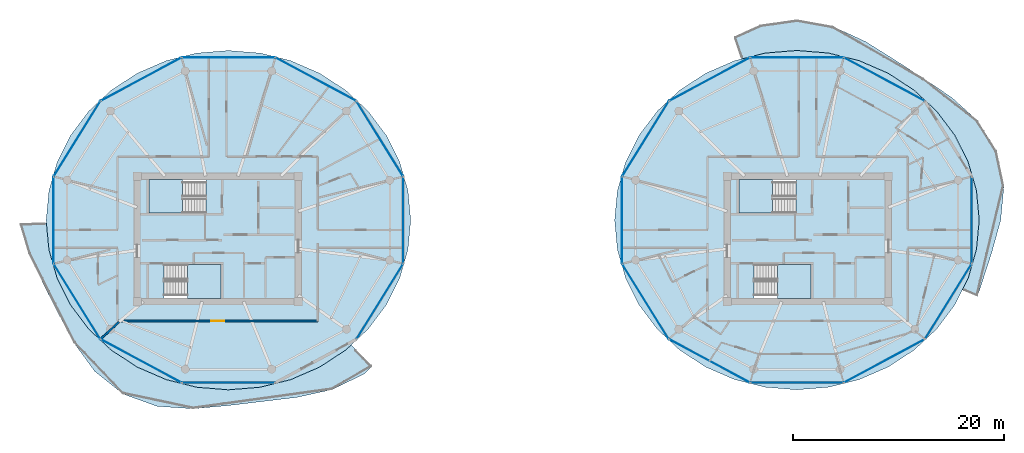
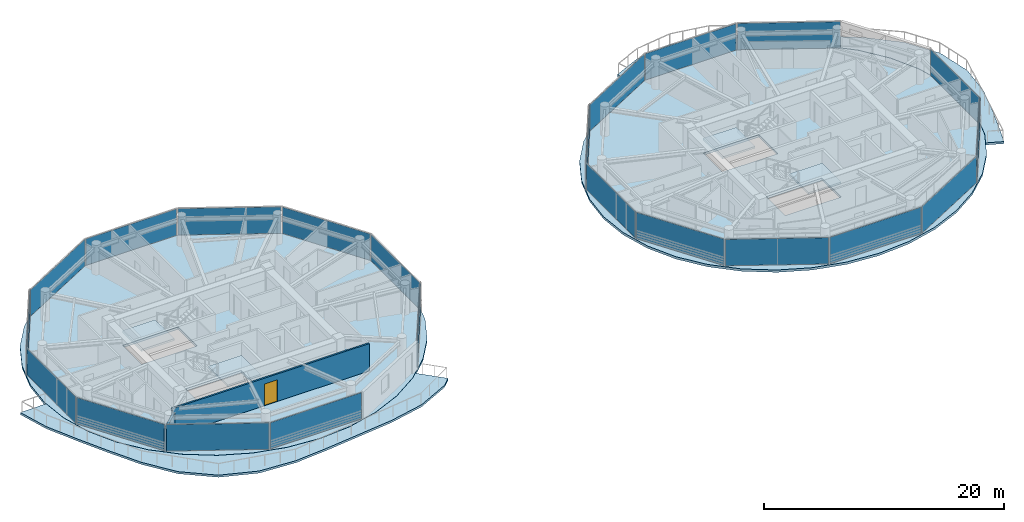
# One storey, part 11 of 23: 22 plates, 8 slabs, 2 walls, 1 door, 1 opening, 26 elements without a shape of their own.
"""IFC4 building model written with IfcOpenShell, lengths in metres."""

from ifc_helpers import new_model, si_unit, direction, frame, frame_2d, origin, origin_2d, place, context, subcontext, project, spatial, polyline, rectangle, outline, extrude, source, transform, mapped, material, layer, layer_set, type_object, type_shapes, element, fill, aggregate, save


model = new_model("IFC4")

# Units and contexts
model_context = context("Model", 3, precision=1e-05, world=origin(), true_north=direction((0.0, 1.0)))
body_context = subcontext(model_context, "Body", "Model", "MODEL_VIEW")
ifc_project = project(units=[si_unit("LENGTHUNIT", "METRE"), si_unit("AREAUNIT", "SQUARE_METRE"), si_unit("VOLUMEUNIT", "CUBIC_METRE"), si_unit("PLANEANGLEUNIT", "RADIAN"), si_unit("MASSUNIT", "GRAM", prefix="KILO")], contexts=[model_context])

# Site, building, storey
site_placement = place(None, origin())
site = spatial("IfcSite", under=ifc_project, at=site_placement, CompositionType="ELEMENT")
building_placement = place(site_placement, origin())
building = spatial("IfcBuilding", under=site, at=building_placement, Name="Norrkilde Senior Care Towers", CompositionType="ELEMENT")
storey_placement = place(building_placement, frame((0.0, 0.0, 173.949951171875)))
storey = spatial("IfcBuildingStorey", under=building, at=storey_placement, Name="L54", CompositionType="ELEMENT", Elevation=173.949951171875)

# Slabs
ifc_material_1 = material(Name="Concrete C50/60", Category="concrete")
ifc_layer_1 = layer(ifc_material_1, 0.215087890625)
ifc_layer_set_1 = layer_set([ifc_layer_1], Name="Concrete C50/60")
slab_type_1 = type_object("IfcSlabType", Name="Sinusoidal Balcony Ribbon Slab 215", PredefinedType="FLOOR", material=ifc_layer_set_1)
slab_1_placement = place(storey_placement, frame((0.0, 0.0, -0.21484375)))
element("IfcSlab", 1, at=slab_1_placement, inside=storey, type_object=slab_type_1, Name="L54 Drum W Swirling Senior Balcony 1", PredefinedType="FLOOR", context=body_context, shape_type="SweptSolid", body=[
    extrude(outline(polyline([(-17.169921875, -14.317138671875), (-20.4853515625, -15.044677734375), (-23.74853515625, -15.43505859375), (-26.97509765625, -15.82275390625), (-30.314453125, -16.123779296875), (-33.75244140625, -15.894287109375), (-36.99560546875, -14.718505859375), (-39.669921875, -12.574462890625), (-41.647216796875, -9.853515625), (-43.161376953125, -7.021728515625), (-44.56201171875, -4.25146484375), (-45.915771484375, -1.381103515625), (-46.758056640625, 1.44775390625), (-44.253173828125, 1.4892578125), (-44.01708984375, -1.021240234375), (-43.236328125, -3.73291015625), (-41.961669921875, -6.277099609375), (-40.2314453125, -8.57666015625), (-38.098388671875, -10.561767578125), (-35.62744140625, -12.171875), (-32.8935546875, -13.3583984375), (-29.97998046875, -14.0849609375), (-26.97509765625, -14.32958984375), (-23.969970703125, -14.0849609375), (-21.056396484375, -13.3583984375), (-18.322509765625, -12.171875), (-15.8515625, -10.561767578125), (-15.326416015625, -10.072998046875), (-13.346435546875, -12.086669921875), (-14.08837890625, -12.820068359375), (-17.169921875, -14.317138671875)])), origin(), (0.0, 0.0, 1.0), 0.21484375),
])
slab_2_placement = place(storey_placement, frame((0.0, 0.0, -0.21484375)))
element("IfcSlab", 2, at=slab_2_placement, inside=storey, type_object=slab_type_1, Name="L54 Drum E Swirling Senior Balcony 1", PredefinedType="FLOOR", context=body_context, shape_type="SweptSolid", body=[
    extrude(outline(polyline([(44.099853515625, -5.456298828125), (42.67431640625, -4.8544921875), (43.236328125, -3.73291015625), (44.01708984375, -1.021240234375), (44.280029296875, 1.775390625), (44.01708984375, 4.572021484375), (43.236328125, 7.28369140625), (41.961669921875, 9.827880859375), (40.2314453125, 12.12744140625), (38.098388671875, 14.112548828125), (35.62744140625, 15.72265625), (32.8935546875, 16.9091796875), (29.97998046875, 17.6357421875), (26.97509765625, 17.88037109375), (23.969970703125, 17.6357421875), (21.73291015625, 17.077880859375), (21.0234375, 19.14892578125), (23.53662109375, 20.27783203125), (26.97509765625, 20.77099609375), (30.393310546875, 20.1552734375), (33.505126953125, 18.71484375), (36.295654296875, 16.966552734375), (38.974365234375, 15.234619140625), (41.66650390625, 13.421630859375), (44.150146484375, 11.185791015625), (45.9306640625, 8.33740234375), (46.62890625, 5.06689453125), (46.319091796875, 1.775390625), (45.46875, -1.29638671875), (44.516845703125, -4.23388671875), (44.099853515625, -5.456298828125)])), origin(), (0.0, 0.0, 1.0), 0.21484375),
])

# Stair, slab
ifc_material_2 = material(Name="Concrete C45/55", Category="concrete")
stair_type = type_object("IfcStairType", Name="Core Protected Dogleg Stair Typical 3050", PredefinedType="HALF_TURN_STAIR", material=ifc_material_2)
stair_1_placement = place(storey_placement, origin())
stair_1 = element("IfcStair", 3, at=stair_1_placement, inside=storey, type_object=stair_type, Name="L54 Protected Core Stair W1", PredefinedType="HALF_TURN_STAIR")
ifc_layer_2 = layer(ifc_material_2, 0.199951171875)
ifc_layer_set_2 = layer_set([ifc_layer_2], Name="Concrete C45/55")
slab_type_2 = type_object("IfcSlabType", Name="Stair Landing Slab 200", PredefinedType="LANDING", material=ifc_layer_set_2)
slab_3_placement = place(storey_placement, frame((0.0, 0.0, 1.324951171875)))
slab_3 = element("IfcSlab", 4, at=slab_3_placement, type_object=slab_type_2, Name="ST-W1 landing 1", PredefinedType="LANDING", context=body_context, shape_type="SweptSolid", body=[
    extrude(outline(polyline([(-31.340087890625, 5.639892578125), (-34.5, 5.639892578125), (-34.5, 2.449951171875), (-31.340087890625, 2.449951171875), (-31.340087890625, 5.639892578125)])), origin(), (0.0, 0.0, 1.0), 0.2001953125),
])
aggregate(stair_1, [slab_3])

stair_2_placement = place(storey_placement, origin())
stair_2 = element("IfcStair", 5, at=stair_2_placement, inside=storey, type_object=stair_type, Name="L54 Protected Core Stair W2", PredefinedType="HALF_TURN_STAIR")
slab_4_placement = place(storey_placement, frame((0.0, 0.0, 1.324951171875)))
slab_4 = element("IfcSlab", 6, at=slab_4_placement, type_object=slab_type_2, Name="ST-W2 landing 1", PredefinedType="LANDING", context=body_context, shape_type="SweptSolid", body=[
    extrude(outline(polyline([(-30.860107421875, -5.639892578125), (-27.699951171875, -5.639892578125), (-27.699951171875, -2.449951171875), (-30.860107421875, -2.449951171875), (-30.860107421875, -5.639892578125)])), origin(), (0.0, 0.0, 1.0), 0.2001953125),
])
aggregate(stair_2, [slab_4])

stair_3_placement = place(storey_placement, origin())
stair_3 = element("IfcStair", 7, at=stair_3_placement, inside=storey, type_object=stair_type, Name="L54 Protected Core Stair E1", PredefinedType="HALF_TURN_STAIR")
slab_5_placement = place(storey_placement, frame((0.0, 0.0, 1.324951171875)))
slab_5 = element("IfcSlab", 8, at=slab_5_placement, type_object=slab_type_2, Name="ST-E1 landing 1", PredefinedType="LANDING", context=body_context, shape_type="SweptSolid", body=[
    extrude(outline(polyline([(24.659912109375, 5.639892578125), (21.5, 5.639892578125), (21.5, 2.449951171875), (24.659912109375, 2.449951171875), (24.659912109375, 5.639892578125)])), origin(), (0.0, 0.0, 1.0), 0.2001953125),
])
aggregate(stair_3, [slab_5])

stair_4_placement = place(storey_placement, origin())
stair_4 = element("IfcStair", 9, at=stair_4_placement, inside=storey, type_object=stair_type, Name="L54 Protected Core Stair E2", PredefinedType="HALF_TURN_STAIR")
slab_6_placement = place(storey_placement, frame((0.0, 0.0, 1.324951171875)))
slab_6 = element("IfcSlab", 10, at=slab_6_placement, type_object=slab_type_2, Name="ST-E2 landing 1", PredefinedType="LANDING", context=body_context, shape_type="SweptSolid", body=[
    extrude(outline(polyline([(25.139892578125, -5.639892578125), (28.300048828125, -5.639892578125), (28.300048828125, -2.449951171875), (25.139892578125, -2.449951171875), (25.139892578125, -5.639892578125)])), origin(), (0.0, 0.0, 1.0), 0.2001953125),
])
aggregate(stair_4, [slab_6])

# Slabs
ifc_layer_3 = layer(ifc_material_1, 0.239990234375)
ifc_layer_set_3 = layer_set([ifc_layer_3], Name="Concrete C50/60")
slab_type_3 = type_object("IfcSlabType", Name="Tower Residence Floor Slab 240", PredefinedType="FLOOR", material=ifc_layer_set_3)
slab_7_placement = place(storey_placement, frame((0.0, 0.0, -0.239990234375)))
element("IfcSlab", 11, at=slab_7_placement, inside=storey, type_object=slab_type_3, Name="L54 Drum W Structural Floor Slab", PredefinedType="FLOOR", context=body_context, shape_type="SweptSolid", body=[
    extrude(outline(polyline([(-10.71826171875, -3.731201171875), (-11.99267578125, -6.274658203125), (-13.722412109375, -8.573486328125), (-15.854736328125, -10.557861328125), (-18.324951171875, -12.167724609375), (-21.05810546875, -13.353759765625), (-23.970947265625, -14.080078125), (-26.97509765625, -14.32470703125), (-29.97900390625, -14.080078125), (-32.891845703125, -13.353759765625), (-35.625, -12.167724609375), (-38.09521484375, -10.557861328125), (-40.2275390625, -8.573486328125), (-41.957275390625, -6.274658203125), (-43.231689453125, -3.731201171875), (-44.01220703125, -1.020263671875), (-44.27490234375, 1.775390625), (-44.01220703125, 4.571044921875), (-43.231689453125, 7.281982421875), (-41.957275390625, 9.825439453125), (-40.2275390625, 12.124267578125), (-38.09521484375, 14.108642578125), (-35.625, 15.71826171875), (-32.891845703125, 16.904296875), (-29.97900390625, 17.630859375), (-26.97509765625, 17.875244140625), (-23.970947265625, 17.630859375), (-21.05810546875, 16.904296875), (-18.324951171875, 15.71826171875), (-15.854736328125, 14.108642578125), (-13.722412109375, 12.124267578125), (-11.99267578125, 9.825439453125), (-10.71826171875, 7.281982421875), (-9.937744140625, 4.571044921875), (-9.675048828125, 1.775390625), (-9.937744140625, -1.020263671875), (-10.71826171875, -3.731201171875)]), holes=[polyline([(-34.48193359375, 2.468017578125), (-29.117919921875, 2.468017578125), (-29.117919921875, 5.639892578125), (-34.48193359375, 5.639892578125), (-34.48193359375, 2.468017578125)]), polyline([(-27.718017578125, -5.639892578125), (-27.718017578125, -2.468017578125), (-33.08203125, -2.468017578125), (-33.08203125, -5.639892578125), (-27.718017578125, -5.639892578125)])]), origin(), (0.0, 0.0, 1.0), 0.239990234375),
])
slab_8_placement = place(storey_placement, frame((0.0, 0.0, -0.239990234375)))
element("IfcSlab", 12, at=slab_8_placement, inside=storey, type_object=slab_type_3, Name="L54 Drum E Structural Floor Slab", PredefinedType="FLOOR", context=body_context, shape_type="SweptSolid", body=[
    extrude(outline(polyline([(43.231689453125, -3.731201171875), (41.957275390625, -6.274658203125), (40.2275390625, -8.573486328125), (38.09521484375, -10.557861328125), (35.625, -12.167724609375), (32.891845703125, -13.353759765625), (29.97900390625, -14.080078125), (26.97509765625, -14.32470703125), (23.970947265625, -14.080078125), (21.05810546875, -13.353759765625), (18.324951171875, -12.167724609375), (15.854736328125, -10.557861328125), (13.722412109375, -8.573486328125), (11.99267578125, -6.274658203125), (10.71826171875, -3.731201171875), (9.937744140625, -1.020263671875), (9.675048828125, 1.775390625), (9.937744140625, 4.571044921875), (10.71826171875, 7.281982421875), (11.99267578125, 9.825439453125), (13.722412109375, 12.124267578125), (15.854736328125, 14.108642578125), (18.324951171875, 15.71826171875), (21.05810546875, 16.904296875), (23.970947265625, 17.630859375), (26.97509765625, 17.875244140625), (29.97900390625, 17.630859375), (32.891845703125, 16.904296875), (35.625, 15.71826171875), (38.09521484375, 14.108642578125), (40.2275390625, 12.124267578125), (41.957275390625, 9.825439453125), (43.231689453125, 7.281982421875), (44.01220703125, 4.571044921875), (44.27490234375, 1.775390625), (44.01220703125, -1.020263671875), (43.231689453125, -3.731201171875)]), holes=[polyline([(21.51806640625, 2.468017578125), (26.882080078125, 2.468017578125), (26.882080078125, 5.639892578125), (21.51806640625, 5.639892578125), (21.51806640625, 2.468017578125)]), polyline([(28.281982421875, -5.639892578125), (28.281982421875, -2.468017578125), (22.91796875, -2.468017578125), (22.91796875, -5.639892578125), (28.281982421875, -5.639892578125)])]), origin(), (0.0, 0.0, 1.0), 0.239990234375),
])

# Curtain wall, plate
ifc_material_3 = material(Name="Triple Low-E Insulated Glazing", Category="glass")
ifc_layer_4 = layer(ifc_material_3, 0.18994140625)
ifc_layer_set_4 = layer_set([ifc_layer_4], Name="Triple Low-E Insulated Glazing")
curtain_wall_type = type_object("IfcCurtainWallType", Name="CW4 Zone 3 Senior Residence Curtain Wall", PredefinedType="NOTDEFINED", material=ifc_layer_set_4)
curtain_wall_1_placement = place(storey_placement, origin())
curtain_wall_1 = element("IfcCurtainWall", 13, at=curtain_wall_1_placement, inside=storey, type_object=curtain_wall_type, Name="L54 Drum W Curtain Wall 00", PredefinedType="NOTDEFINED")
ifc_layer_5 = layer(ifc_material_3, 0.035888671875)
ifc_layer_set_5 = layer_set([ifc_layer_5], Name="Triple Low-E Insulated Glazing")
plate_type = type_object("IfcPlateType", Name="Triple Low-E Vision Curtain Panel 36", PredefinedType="CURTAIN_PANEL", material=ifc_layer_set_5)
shared_shape_1 = source(origin(), body_context, "Body", "SweptSolid", [
    extrude(rectangle(XDim=8.301513671875, YDim=0.035888671875, at=origin_2d()), origin(), (0.0, 0.0, 1.0), 2.68994140625),
])
plate_1_placement = place(storey_placement, frame((-12.603759765625, 9.4931640625, 0.06005859375), z_axis=(0.0, 0.0, 1.0), x_axis=(0.52737270789, -0.84963405474, 0.0)))
plate_1 = element("IfcPlate", 14, at=plate_1_placement, type_object=plate_type, Name="CW-4 panel 1.1", PredefinedType="CURTAIN_PANEL", context=body_context, shape_type="MappedRepresentation", body=[
    mapped(shared_shape_1, transform((0.0, 0.0, 0.0), x_axis=(1.0, 0.0, 0.0), y_axis=(0.0, 1.0, 0.0), z_axis=(0.0, 0.0, 1.0), scale=1.0)),
])
aggregate(curtain_wall_1, [plate_1])

curtain_wall_2_placement = place(storey_placement, origin())
curtain_wall_2 = element("IfcCurtainWall", 15, at=curtain_wall_2_placement, inside=storey, type_object=curtain_wall_type, Name="L54 Drum W Curtain Wall 04", PredefinedType="NOTDEFINED")
plate_2_placement = place(storey_placement, frame((-41.346435546875, 9.4931640625, 0.06005859375), z_axis=(0.0, 0.0, 1.0), x_axis=(0.52737270789, 0.84963405474, 0.0)))
plate_2 = element("IfcPlate", 16, at=plate_2_placement, type_object=plate_type, Name="CW-4 panel 1.1", PredefinedType="CURTAIN_PANEL", context=body_context, shape_type="MappedRepresentation", body=[
    mapped(shared_shape_1, transform((0.0, 0.0, 0.0), x_axis=(1.0, 0.0, 0.0), y_axis=(0.0, 1.0, 0.0), z_axis=(0.0, 0.0, 1.0), scale=1.0)),
])
aggregate(curtain_wall_2, [plate_2])

curtain_wall_3_placement = place(storey_placement, origin())
curtain_wall_3 = element("IfcCurtainWall", 17, at=curtain_wall_3_placement, inside=storey, type_object=curtain_wall_type, Name="L54 Drum W Curtain Wall 06", PredefinedType="NOTDEFINED")
plate_3_placement = place(storey_placement, frame((-41.346435546875, -5.9423828125, 0.06005859375), z_axis=(0.0, 0.0, 1.0), x_axis=(-0.52737270789, 0.84963405474, 0.0)))
plate_3 = element("IfcPlate", 18, at=plate_3_placement, type_object=plate_type, Name="CW-4 panel 1.1", PredefinedType="CURTAIN_PANEL", context=body_context, shape_type="MappedRepresentation", body=[
    mapped(shared_shape_1, transform((0.0, 0.0, 0.0), x_axis=(1.0, 0.0, 0.0), y_axis=(0.0, 1.0, 0.0), z_axis=(0.0, 0.0, 1.0), scale=1.0)),
])
aggregate(curtain_wall_3, [plate_3])

curtain_wall_4_placement = place(storey_placement, origin())
curtain_wall_4 = element("IfcCurtainWall", 19, at=curtain_wall_4_placement, inside=storey, type_object=curtain_wall_type, Name="L54 Drum W Curtain Wall 10", PredefinedType="NOTDEFINED")
plate_4_placement = place(storey_placement, frame((-12.603759765625, -5.9423828125, 0.06005859375), z_axis=(0.0, 0.0, 1.0), x_axis=(-0.52737270789, -0.84963405474, 0.0)))
plate_4 = element("IfcPlate", 20, at=plate_4_placement, type_object=plate_type, Name="CW-4 panel 1.1", PredefinedType="CURTAIN_PANEL", context=body_context, shape_type="MappedRepresentation", body=[
    mapped(shared_shape_1, transform((0.0, 0.0, 0.0), x_axis=(1.0, 0.0, 0.0), y_axis=(0.0, 1.0, 0.0), z_axis=(0.0, 0.0, 1.0), scale=1.0)),
])
aggregate(curtain_wall_4, [plate_4])

curtain_wall_5_placement = place(storey_placement, origin())
curtain_wall_5 = element("IfcCurtainWall", 21, at=curtain_wall_5_placement, inside=storey, type_object=curtain_wall_type, Name="L54 Drum E Curtain Wall 04", PredefinedType="NOTDEFINED")
plate_5_placement = place(storey_placement, frame((12.603759765625, 9.4931640625, 0.06005859375), z_axis=(0.0, 0.0, 1.0), x_axis=(0.52737270789, 0.84963405474, 0.0)))
plate_5 = element("IfcPlate", 22, at=plate_5_placement, type_object=plate_type, Name="CW-4 panel 1.1", PredefinedType="CURTAIN_PANEL", context=body_context, shape_type="MappedRepresentation", body=[
    mapped(shared_shape_1, transform((0.0, 0.0, 0.0), x_axis=(1.0, 0.0, 0.0), y_axis=(0.0, 1.0, 0.0), z_axis=(0.0, 0.0, 1.0), scale=1.0)),
])
aggregate(curtain_wall_5, [plate_5])

curtain_wall_6_placement = place(storey_placement, origin())
curtain_wall_6 = element("IfcCurtainWall", 23, at=curtain_wall_6_placement, inside=storey, type_object=curtain_wall_type, Name="L54 Drum E Curtain Wall 06", PredefinedType="NOTDEFINED")
plate_6_placement = place(storey_placement, frame((12.603759765625, -5.9423828125, 0.06005859375), z_axis=(0.0, 0.0, 1.0), x_axis=(-0.52737270789, 0.84963405474, 0.0)))
plate_6 = element("IfcPlate", 24, at=plate_6_placement, type_object=plate_type, Name="CW-4 panel 1.1", PredefinedType="CURTAIN_PANEL", context=body_context, shape_type="MappedRepresentation", body=[
    mapped(shared_shape_1, transform((0.0, 0.0, 0.0), x_axis=(1.0, 0.0, 0.0), y_axis=(0.0, 1.0, 0.0), z_axis=(0.0, 0.0, 1.0), scale=1.0)),
])
aggregate(curtain_wall_6, [plate_6])

curtain_wall_7_placement = place(storey_placement, origin())
curtain_wall_7 = element("IfcCurtainWall", 25, at=curtain_wall_7_placement, inside=storey, type_object=curtain_wall_type, Name="L54 Drum E Curtain Wall 10", PredefinedType="NOTDEFINED")
plate_7_placement = place(storey_placement, frame((41.346435546875, -5.9423828125, 0.06005859375), z_axis=(0.0, 0.0, 1.0), x_axis=(-0.52737270789, -0.84963405474, 0.0)))
plate_7 = element("IfcPlate", 26, at=plate_7_placement, type_object=plate_type, Name="CW-4 panel 1.1", PredefinedType="CURTAIN_PANEL", context=body_context, shape_type="MappedRepresentation", body=[
    mapped(shared_shape_1, transform((0.0, 0.0, 0.0), x_axis=(1.0, 0.0, 0.0), y_axis=(0.0, 1.0, 0.0), z_axis=(0.0, 0.0, 1.0), scale=1.0)),
])
aggregate(curtain_wall_7, [plate_7])

curtain_wall_8_placement = place(storey_placement, origin())
curtain_wall_8 = element("IfcCurtainWall", 27, at=curtain_wall_8_placement, inside=storey, type_object=curtain_wall_type, Name="L54 Drum W Curtain Wall 01", PredefinedType="NOTDEFINED")
shared_shape_2 = source(origin(), body_context, "Body", "SweptSolid", [
    extrude(rectangle(XDim=8.61181640625, YDim=0.035888671875, at=origin_2d()), origin(), (0.0, 0.0, 1.0), 2.68994140625),
])
plate_8_placement = place(storey_placement, frame((-18.677734375, 15.142822265625, 0.06005859375), z_axis=(0.0, 0.0, 1.0), x_axis=(0.880999524059, -0.47311715104, 0.0)))
plate_8 = element("IfcPlate", 28, at=plate_8_placement, type_object=plate_type, Name="CW-4 panel 1.1", PredefinedType="CURTAIN_PANEL", context=body_context, shape_type="MappedRepresentation", body=[
    mapped(shared_shape_2, transform((0.0, 0.0, 0.0), x_axis=(1.0, 0.0, 0.0), y_axis=(0.0, 1.0, 0.0), z_axis=(0.0, 0.0, 1.0), scale=1.0)),
])
aggregate(curtain_wall_8, [plate_8])

curtain_wall_9_placement = place(storey_placement, origin())
curtain_wall_9 = element("IfcCurtainWall", 29, at=curtain_wall_9_placement, inside=storey, type_object=curtain_wall_type, Name="L54 Drum W Curtain Wall 03", PredefinedType="NOTDEFINED")
plate_9_placement = place(storey_placement, frame((-35.272216796875, 15.142822265625, 0.06005859375), z_axis=(0.0, 0.0, 1.0), x_axis=(0.880999524059, 0.47311715104, 0.0)))
plate_9 = element("IfcPlate", 30, at=plate_9_placement, type_object=plate_type, Name="CW-4 panel 1.1", PredefinedType="CURTAIN_PANEL", context=body_context, shape_type="MappedRepresentation", body=[
    mapped(shared_shape_2, transform((0.0, 0.0, 0.0), x_axis=(1.0, 0.0, 0.0), y_axis=(0.0, 1.0, 0.0), z_axis=(0.0, 0.0, 1.0), scale=1.0)),
])
aggregate(curtain_wall_9, [plate_9])

curtain_wall_10_placement = place(storey_placement, origin())
curtain_wall_10 = element("IfcCurtainWall", 31, at=curtain_wall_10_placement, inside=storey, type_object=curtain_wall_type, Name="L54 Drum W Curtain Wall 07", PredefinedType="NOTDEFINED")
plate_10_placement = place(storey_placement, frame((-35.272216796875, -11.59228515625, 0.06005859375), z_axis=(0.0, 0.0, 1.0), x_axis=(-0.880999524059, 0.47311715104, 0.0)))
plate_10 = element("IfcPlate", 32, at=plate_10_placement, type_object=plate_type, Name="CW-4 panel 1.1", PredefinedType="CURTAIN_PANEL", context=body_context, shape_type="MappedRepresentation", body=[
    mapped(shared_shape_2, transform((0.0, 0.0, 0.0), x_axis=(1.0, 0.0, 0.0), y_axis=(0.0, 1.0, 0.0), z_axis=(0.0, 0.0, 1.0), scale=1.0)),
])
aggregate(curtain_wall_10, [plate_10])

curtain_wall_11_placement = place(storey_placement, origin())
curtain_wall_11 = element("IfcCurtainWall", 33, at=curtain_wall_11_placement, inside=storey, type_object=curtain_wall_type, Name="L54 Drum E Curtain Wall 01", PredefinedType="NOTDEFINED")
plate_11_placement = place(storey_placement, frame((35.272216796875, 15.142822265625, 0.06005859375), z_axis=(0.0, 0.0, 1.0), x_axis=(0.880999524059, -0.47311715104, 0.0)))
plate_11 = element("IfcPlate", 34, at=plate_11_placement, type_object=plate_type, Name="CW-4 panel 1.1", PredefinedType="CURTAIN_PANEL", context=body_context, shape_type="MappedRepresentation", body=[
    mapped(shared_shape_2, transform((0.0, 0.0, 0.0), x_axis=(1.0, 0.0, 0.0), y_axis=(0.0, 1.0, 0.0), z_axis=(0.0, 0.0, 1.0), scale=1.0)),
])
aggregate(curtain_wall_11, [plate_11])

curtain_wall_12_placement = place(storey_placement, origin())
curtain_wall_12 = element("IfcCurtainWall", 35, at=curtain_wall_12_placement, inside=storey, type_object=curtain_wall_type, Name="L54 Drum E Curtain Wall 03", PredefinedType="NOTDEFINED")
plate_12_placement = place(storey_placement, frame((18.677734375, 15.142822265625, 0.06005859375), z_axis=(0.0, 0.0, 1.0), x_axis=(0.880999524059, 0.47311715104, 0.0)))
plate_12 = element("IfcPlate", 36, at=plate_12_placement, type_object=plate_type, Name="CW-4 panel 1.1", PredefinedType="CURTAIN_PANEL", context=body_context, shape_type="MappedRepresentation", body=[
    mapped(shared_shape_2, transform((0.0, 0.0, 0.0), x_axis=(1.0, 0.0, 0.0), y_axis=(0.0, 1.0, 0.0), z_axis=(0.0, 0.0, 1.0), scale=1.0)),
])
aggregate(curtain_wall_12, [plate_12])

curtain_wall_13_placement = place(storey_placement, origin())
curtain_wall_13 = element("IfcCurtainWall", 37, at=curtain_wall_13_placement, inside=storey, type_object=curtain_wall_type, Name="L54 Drum E Curtain Wall 07", PredefinedType="NOTDEFINED")
plate_13_placement = place(storey_placement, frame((18.677734375, -11.59228515625, 0.06005859375), z_axis=(0.0, 0.0, 1.0), x_axis=(-0.880999524059, 0.47311715104, 0.0)))
plate_13 = element("IfcPlate", 38, at=plate_13_placement, type_object=plate_type, Name="CW-4 panel 1.1", PredefinedType="CURTAIN_PANEL", context=body_context, shape_type="MappedRepresentation", body=[
    mapped(shared_shape_2, transform((0.0, 0.0, 0.0), x_axis=(1.0, 0.0, 0.0), y_axis=(0.0, 1.0, 0.0), z_axis=(0.0, 0.0, 1.0), scale=1.0)),
])
aggregate(curtain_wall_13, [plate_13])

curtain_wall_14_placement = place(storey_placement, origin())
curtain_wall_14 = element("IfcCurtainWall", 39, at=curtain_wall_14_placement, inside=storey, type_object=curtain_wall_type, Name="L54 Drum E Curtain Wall 09", PredefinedType="NOTDEFINED")
plate_14_placement = place(storey_placement, frame((35.272216796875, -11.59228515625, 0.06005859375), z_axis=(0.0, 0.0, 1.0), x_axis=(-0.880999524059, -0.47311715104, 0.0)))
plate_14 = element("IfcPlate", 40, at=plate_14_placement, type_object=plate_type, Name="CW-4 panel 1.1", PredefinedType="CURTAIN_PANEL", context=body_context, shape_type="MappedRepresentation", body=[
    mapped(shared_shape_2, transform((0.0, 0.0, 0.0), x_axis=(1.0, 0.0, 0.0), y_axis=(0.0, 1.0, 0.0), z_axis=(0.0, 0.0, 1.0), scale=1.0)),
])
aggregate(curtain_wall_14, [plate_14])

curtain_wall_15_placement = place(storey_placement, origin())
curtain_wall_15 = element("IfcCurtainWall", 41, at=curtain_wall_15_placement, inside=storey, type_object=curtain_wall_type, Name="L54 Drum W Curtain Wall 02", PredefinedType="NOTDEFINED")
shared_shape_3 = source(origin(), body_context, "Body", "SweptSolid", [
    extrude(rectangle(XDim=8.762939453125, YDim=0.035888671875, at=origin_2d()), origin(), (0.0, 0.0, 1.0), 2.68994140625),
])
plate_15_placement = place(storey_placement, frame((-26.97509765625, 17.2109375, 0.06005859375), z_axis=(0.0, 0.0, 1.0), x_axis=(1.0, 0.0, 0.0)))
plate_15 = element("IfcPlate", 42, at=plate_15_placement, type_object=plate_type, Name="CW-4 panel 1.1", PredefinedType="CURTAIN_PANEL", context=body_context, shape_type="MappedRepresentation", body=[
    mapped(shared_shape_3, transform((0.0, 0.0, 0.0), x_axis=(1.0, 0.0, 0.0), y_axis=(0.0, 1.0, 0.0), z_axis=(0.0, 0.0, 1.0), scale=1.0)),
])
aggregate(curtain_wall_15, [plate_15])

curtain_wall_16_placement = place(storey_placement, origin())
curtain_wall_16 = element("IfcCurtainWall", 43, at=curtain_wall_16_placement, inside=storey, type_object=curtain_wall_type, Name="L54 Drum W Curtain Wall 08", PredefinedType="NOTDEFINED")
plate_16_placement = place(storey_placement, frame((-26.97509765625, -13.66015625, 0.06005859375), z_axis=(0.0, 0.0, 1.0), x_axis=(-1.0, 0.0, 0.0)))
plate_16 = element("IfcPlate", 44, at=plate_16_placement, type_object=plate_type, Name="CW-4 panel 1.1", PredefinedType="CURTAIN_PANEL", context=body_context, shape_type="MappedRepresentation", body=[
    mapped(shared_shape_3, transform((0.0, 0.0, 0.0), x_axis=(1.0, 0.0, 0.0), y_axis=(0.0, 1.0, 0.0), z_axis=(0.0, 0.0, 1.0), scale=1.0)),
])
aggregate(curtain_wall_16, [plate_16])

curtain_wall_17_placement = place(storey_placement, origin())
curtain_wall_17 = element("IfcCurtainWall", 45, at=curtain_wall_17_placement, inside=storey, type_object=curtain_wall_type, Name="L54 Drum E Curtain Wall 02", PredefinedType="NOTDEFINED")
plate_17_placement = place(storey_placement, frame((26.97509765625, 17.2109375, 0.06005859375), z_axis=(0.0, 0.0, 1.0), x_axis=(1.0, 0.0, 0.0)))
plate_17 = element("IfcPlate", 46, at=plate_17_placement, type_object=plate_type, Name="CW-4 panel 1.1", PredefinedType="CURTAIN_PANEL", context=body_context, shape_type="MappedRepresentation", body=[
    mapped(shared_shape_3, transform((0.0, 0.0, 0.0), x_axis=(1.0, 0.0, 0.0), y_axis=(0.0, 1.0, 0.0), z_axis=(0.0, 0.0, 1.0), scale=1.0)),
])
aggregate(curtain_wall_17, [plate_17])

curtain_wall_18_placement = place(storey_placement, origin())
curtain_wall_18 = element("IfcCurtainWall", 47, at=curtain_wall_18_placement, inside=storey, type_object=curtain_wall_type, Name="L54 Drum E Curtain Wall 08", PredefinedType="NOTDEFINED")
plate_18_placement = place(storey_placement, frame((26.97509765625, -13.66015625, 0.06005859375), z_axis=(0.0, 0.0, 1.0), x_axis=(-1.0, 0.0, 0.0)))
plate_18 = element("IfcPlate", 48, at=plate_18_placement, type_object=plate_type, Name="CW-4 panel 1.1", PredefinedType="CURTAIN_PANEL", context=body_context, shape_type="MappedRepresentation", body=[
    mapped(shared_shape_3, transform((0.0, 0.0, 0.0), x_axis=(1.0, 0.0, 0.0), y_axis=(0.0, 1.0, 0.0), z_axis=(0.0, 0.0, 1.0), scale=1.0)),
])
aggregate(curtain_wall_18, [plate_18])

curtain_wall_19_placement = place(storey_placement, origin())
curtain_wall_19 = element("IfcCurtainWall", 49, at=curtain_wall_19_placement, inside=storey, type_object=curtain_wall_type, Name="L54 Drum W Curtain Wall 05", PredefinedType="NOTDEFINED")
shared_shape_4 = source(origin(), body_context, "Body", "SweptSolid", [
    extrude(rectangle(XDim=8.141845703125, YDim=0.035888671875, at=origin_2d()), origin(), (0.0, 0.0, 1.0), 2.68994140625),
])
type_shapes(plate_type, [shared_shape_1, shared_shape_2, shared_shape_3, shared_shape_4])
plate_19_placement = place(storey_placement, frame((-43.569580078125, 1.775390625, 0.06005859375), z_axis=(0.0, 0.0, 1.0), x_axis=(0.0, 1.0, 0.0)))
plate_19 = element("IfcPlate", 50, at=plate_19_placement, type_object=plate_type, Name="CW-4 panel 1.1", PredefinedType="CURTAIN_PANEL", context=body_context, shape_type="MappedRepresentation", body=[
    mapped(shared_shape_4, transform((0.0, 0.0, 0.0), x_axis=(1.0, 0.0, 0.0), y_axis=(0.0, 1.0, 0.0), z_axis=(0.0, 0.0, 1.0), scale=1.0)),
])
aggregate(curtain_wall_19, [plate_19])

curtain_wall_20_placement = place(storey_placement, origin())
curtain_wall_20 = element("IfcCurtainWall", 51, at=curtain_wall_20_placement, inside=storey, type_object=curtain_wall_type, Name="L54 Drum W Curtain Wall 11", PredefinedType="NOTDEFINED")
plate_20_placement = place(storey_placement, frame((-10.38037109375, 1.775390625, 0.06005859375), z_axis=(0.0, 0.0, 1.0), x_axis=(0.0, -1.0, 0.0)))
plate_20 = element("IfcPlate", 52, at=plate_20_placement, type_object=plate_type, Name="CW-4 panel 1.1", PredefinedType="CURTAIN_PANEL", context=body_context, shape_type="MappedRepresentation", body=[
    mapped(shared_shape_4, transform((0.0, 0.0, 0.0), x_axis=(1.0, 0.0, 0.0), y_axis=(0.0, 1.0, 0.0), z_axis=(0.0, 0.0, 1.0), scale=1.0)),
])
aggregate(curtain_wall_20, [plate_20])

curtain_wall_21_placement = place(storey_placement, origin())
curtain_wall_21 = element("IfcCurtainWall", 53, at=curtain_wall_21_placement, inside=storey, type_object=curtain_wall_type, Name="L54 Drum E Curtain Wall 05", PredefinedType="NOTDEFINED")
plate_21_placement = place(storey_placement, frame((10.38037109375, 1.775390625, 0.06005859375), z_axis=(0.0, 0.0, 1.0), x_axis=(0.0, 1.0, 0.0)))
plate_21 = element("IfcPlate", 54, at=plate_21_placement, type_object=plate_type, Name="CW-4 panel 1.1", PredefinedType="CURTAIN_PANEL", context=body_context, shape_type="MappedRepresentation", body=[
    mapped(shared_shape_4, transform((0.0, 0.0, 0.0), x_axis=(1.0, 0.0, 0.0), y_axis=(0.0, 1.0, 0.0), z_axis=(0.0, 0.0, 1.0), scale=1.0)),
])
aggregate(curtain_wall_21, [plate_21])

curtain_wall_22_placement = place(storey_placement, origin())
curtain_wall_22 = element("IfcCurtainWall", 55, at=curtain_wall_22_placement, inside=storey, type_object=curtain_wall_type, Name="L54 Drum E Curtain Wall 11", PredefinedType="NOTDEFINED")
plate_22_placement = place(storey_placement, frame((43.569580078125, 1.775390625, 0.06005859375), z_axis=(0.0, 0.0, 1.0), x_axis=(0.0, -1.0, 0.0)))
plate_22 = element("IfcPlate", 56, at=plate_22_placement, type_object=plate_type, Name="CW-4 panel 1.1", PredefinedType="CURTAIN_PANEL", context=body_context, shape_type="MappedRepresentation", body=[
    mapped(shared_shape_4, transform((0.0, 0.0, 0.0), x_axis=(1.0, 0.0, 0.0), y_axis=(0.0, 1.0, 0.0), z_axis=(0.0, 0.0, 1.0), scale=1.0)),
])
aggregate(curtain_wall_22, [plate_22])

# Wall
ifc_material_4 = material(Name="Gypsum Acoustic Board")
ifc_layer_6 = layer(ifc_material_4, 0.18994140625)
ifc_layer_set_6 = layer_set([ifc_layer_6], Name="Gypsum Acoustic Board")
wall_type_1 = type_object("IfcWallType", Name="Unit Demising Acoustic Wall 190", PredefinedType="PARTITIONING", material=ifc_layer_set_6)
shared_shape_5 = source(origin(), body_context, "Body", "SweptSolid", [
    extrude(rectangle(XDim=2.434814453125, YDim=0.18994140625, at=frame_2d((1.21728515625, 0.0))), origin(), (0.0, 0.0, 1.0), 2.344970703125),
])
type_shapes(wall_type_1, [shared_shape_5])
wall_1_placement = place(storey_placement, frame((-37.3544921875, -7.8798828125, 0.0), z_axis=(0.0, 0.0, 1.0), x_axis=(-0.732164643118, -0.681127693878, 0.0)))
element("IfcWall", 57, at=wall_1_placement, inside=storey, type_object=wall_type_1, Name="WL-INT-L54-W-DEM-07-0", PredefinedType="PARTITIONING", context=body_context, shape_type="MappedRepresentation", body=[
    mapped(shared_shape_5, transform((0.0, 0.0, 0.0), x_axis=(1.0, 0.0, 0.0), y_axis=(0.0, 1.0, 0.0), z_axis=(0.0, 0.0, 1.0), scale=1.0)),
])

# Wall, opening, door
ifc_layer_7 = layer(ifc_material_4, 0.1650390625)
ifc_layer_set_7 = layer_set([ifc_layer_7], Name="Gypsum Acoustic Board")
wall_type_2 = type_object("IfcWallType", Name="Corridor Rated Partition 165", PredefinedType="PARTITIONING", material=ifc_layer_set_7)
shared_shape_6 = source(origin(), body_context, "Body", "SweptSolid", [
    extrude(rectangle(XDim=19.0, YDim=0.1650390625, at=frame_2d((9.5, 0.0))), origin(), (0.0, 0.0, 1.0), 2.795166015625),
])
type_shapes(wall_type_2, [shared_shape_6])
wall_2_placement = place(storey_placement, frame((-18.5, -7.800048828125, 0.0), z_axis=(0.0, 0.0, 1.0), x_axis=(-1.0, 0.0, 0.0)))
wall_2 = element("IfcWall", 58, at=wall_2_placement, inside=storey, type_object=wall_type_2, Name="WL-INT-L54-W-CRW-S-0", PredefinedType="PARTITIONING", context=body_context, shape_type="MappedRepresentation", body=[
    mapped(shared_shape_6, transform((0.0, 0.0, 0.0), x_axis=(1.0, 0.0, 0.0), y_axis=(0.0, 1.0, 0.0), z_axis=(0.0, 0.0, 1.0), scale=1.0)),
])
opening_placement = place(wall_2_placement, frame((8.875, 0.0, 0.0)))
opening = element("IfcOpeningElement", 59, at=opening_placement, cuts=wall_2, Name="Opening D-05", PredefinedType="OPENING", context=body_context, shape_type="SweptSolid", body=[
    extrude(rectangle(XDim=1.25, YDim=2.199951171875, at=frame_2d((0.625, 1.10009765625))), frame((0.0, 0.092529296875, 0.0), z_axis=(0.0, -1.0, 0.0), x_axis=(1.0, 0.0, 0.0)), (0.0, 0.0, 1.0), 0.18505859375),
])
ifc_material_5 = material(Name="Nordic Ash Timber", Category="wood")
door_type = type_object("IfcDoorType", Name="Care Bedroom Bariatric Door 1250x2200", OperationType="NOTDEFINED", PredefinedType="DOOR", material=ifc_material_5)
shared_shape_7 = source(origin(), body_context, "Body", "SweptSolid", [
    extrude(rectangle(XDim=1.25, YDim=2.199951171875, at=frame_2d((0.625, 1.10009765625))), frame((0.0, 0.02490234375, 0.0), z_axis=(0.0, -1.0, 0.0), x_axis=(1.0, 0.0, 0.0)), (0.0, 0.0, 1.0), 0.050048828125),
])
type_shapes(door_type, [shared_shape_7])
door_placement = place(opening_placement, frame((1.25, 0.0, 0.0), z_axis=(0.0, 0.0, 1.0), x_axis=(-1.0, 0.0, 0.0)))
door = element("IfcDoor", 60, at=door_placement, inside=storey, type_object=door_type, Name="L54 Geriatric Rehabilitation Clinic Door", OperationType="SINGLE_SWING_RIGHT", OverallHeight=2.199951171875, OverallWidth=1.25, PredefinedType="DOOR", context=body_context, shape_type="MappedRepresentation", body=[
    mapped(shared_shape_7, transform((0.0, 0.0, 0.0), x_axis=(1.0, 0.0, 0.0), y_axis=(0.0, 1.0, 0.0), z_axis=(0.0, 0.0, 1.0), scale=1.0)),
])
fill(opening, door)

save(model, "model.ifc")
